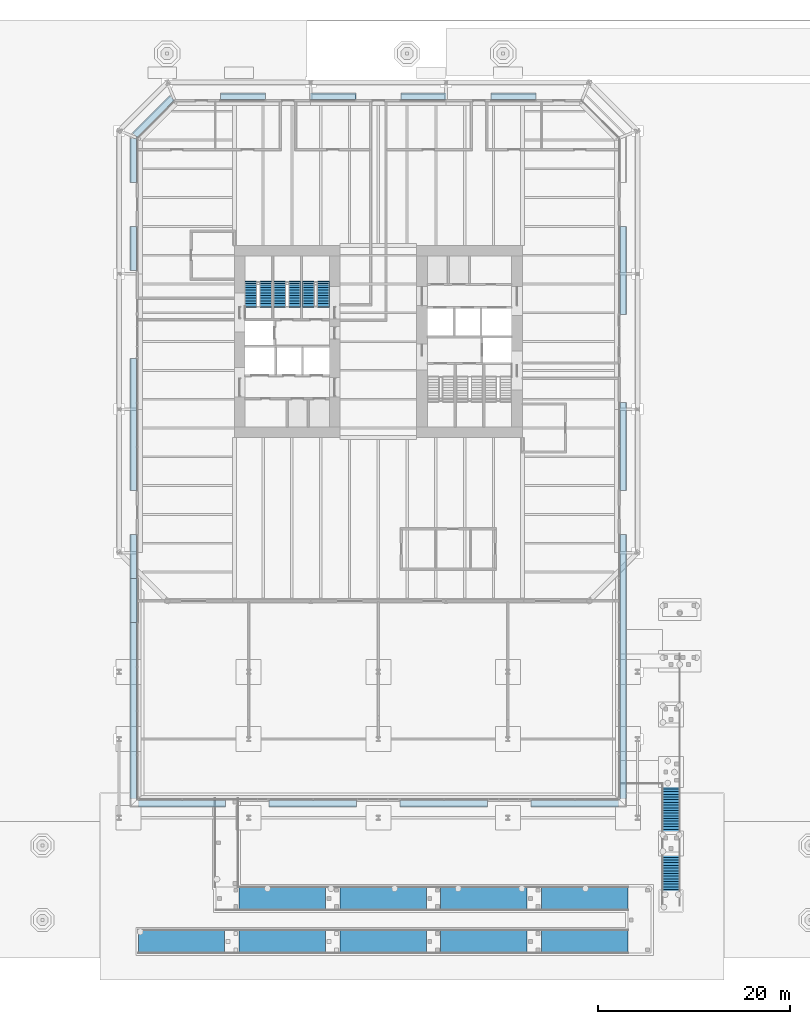
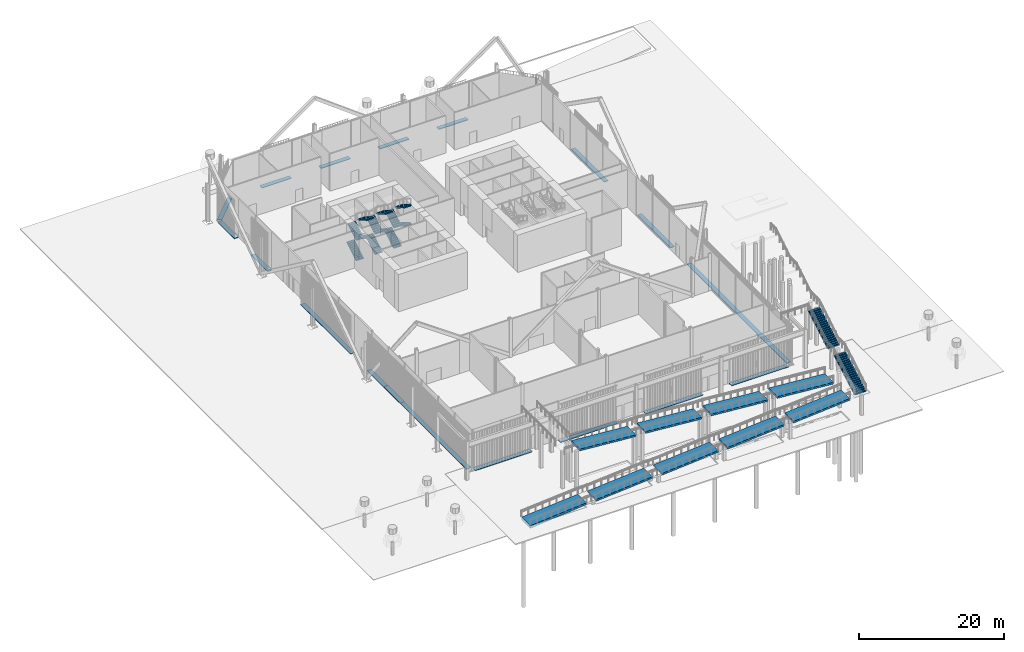
# One storey, part 19 of 28: 18 discrete accessories, 14 stair flights, 9 ramp flights, 4 elements without a shape of their own.
"""IFC4 building model written with IfcOpenShell, lengths in metres."""

from ifc_helpers import new_model, si_unit, direction, frame, origin, origin_2d, place, context, subcontext, project, spatial, polyline, rectangle, outline, extrude, material, type_object, element, aggregate, save


model = new_model("IFC4")

# Units and contexts
model_context = context("Model", 3, precision=1e-05, world=origin(), true_north=direction((0.0, 1.0)))
body_context = subcontext(model_context, "Body", "Model", "MODEL_VIEW")
ifc_project = project(units=[si_unit("LENGTHUNIT", "METRE"), si_unit("AREAUNIT", "SQUARE_METRE"), si_unit("VOLUMEUNIT", "CUBIC_METRE"), si_unit("PLANEANGLEUNIT", "RADIAN"), si_unit("MASSUNIT", "GRAM", prefix="KILO")], contexts=[model_context])

# Site, building, storey
site_placement = place(None, origin())
site = spatial("IfcSite", under=ifc_project, at=site_placement, CompositionType="ELEMENT")
building_placement = place(site_placement, origin())
building = spatial("IfcBuilding", under=site, at=building_placement, Name="Millrace Tower", CompositionType="ELEMENT")
storey_placement = place(building_placement, origin())
storey = spatial("IfcBuildingStorey", under=building, at=storey_placement, Name="L01", CompositionType="ELEMENT", Elevation=0.0)

# Stair, stair flights
ifc_material_1 = material(Name="Concrete C35", Category="concrete")
stair_type_1 = type_object("IfcStairType", Name="Exit stair", PredefinedType="HALF_TURN_STAIR", material=ifc_material_1)
placement = place(storey_placement, origin())
stair_1 = element("IfcStair", 1, at=placement, inside=storey, type_object=stair_type_1, Name="Stair 1 W L01", PredefinedType="HALF_TURN_STAIR")
ifc_material_2 = material(Name="Concrete C35", Category="concrete")
stair_flight_type_1 = type_object("IfcStairFlightType", Name="Exit stair flight", PredefinedType="STRAIGHT", material=ifc_material_2)
stair_flight_1_placement = place(storey_placement, frame((-13.2900390625, 3.679931640625, 0.0), z_axis=(0.0, 0.0, 1.0), x_axis=(0.0, 1.0, 0.0)))
stair_flight_1 = element("IfcStairFlight", 2, at=stair_flight_1_placement, type_object=stair_flight_type_1, Name="ST12 flight 1", NumberOfRisers=10, NumberOfTreads=9, PredefinedType="STRAIGHT", RiserHeight=0.171052632, TreadLength=0.28, context=body_context, shape_type="SweptSolid", body=[
    extrude(outline(polyline([(-0.1201171875, -0.0400390625), (-0.1201171875, 0.0), (0.0, 0.0), (0.0, 0.171142578125), (0.280029296875, 0.171142578125), (0.280029296875, 0.342041015625), (0.56005859375, 0.342041015625), (0.56005859375, 0.51318359375), (0.840087890625, 0.51318359375), (0.840087890625, 0.684326171875), (1.1201171875, 0.684326171875), (1.1201171875, 0.855224609375), (1.39990234375, 0.855224609375), (1.39990234375, 1.0263671875), (1.679931640625, 1.0263671875), (1.679931640625, 1.197265625), (1.9599609375, 1.197265625), (1.9599609375, 1.368408203125), (2.239990234375, 1.368408203125), (2.239990234375, 1.53955078125), (2.52001953125, 1.53955078125), (2.52001953125, 1.5595703125), (2.639892578125, 1.5595703125), (2.639892578125, 1.36376953125), (2.52001953125, 1.36376953125), (0.28759765625, 0.0), (0.28759765625, -0.0400390625), (-0.1201171875, -0.0400390625)])), frame((0.0, 0.60986328125, 0.0), z_axis=(0.0, -1.0, 0.0), x_axis=(1.0, 0.0, 0.0)), (0.0, 0.0, 1.0), 1.219970703125),
])
stair_flight_2_placement = place(storey_placement, frame((-11.7099609375, 6.199951171875, 1.71044921875), z_axis=(0.0, 0.0, 1.0), x_axis=(0.0, -1.0, 0.0)))
stair_flight_2 = element("IfcStairFlight", 3, at=stair_flight_2_placement, type_object=stair_flight_type_1, Name="ST12 flight 2", NumberOfRisers=10, NumberOfTreads=9, PredefinedType="STRAIGHT", RiserHeight=0.171052632, TreadLength=0.28, context=body_context, shape_type="SweptSolid", body=[
    extrude(outline(polyline([(-0.1201171875, -0.0400390625), (-0.1201171875, 0.0), (0.0, 0.0), (0.0, 0.171142578125), (0.280029296875, 0.171142578125), (0.280029296875, 0.342041015625), (0.56005859375, 0.342041015625), (0.56005859375, 0.51318359375), (0.840087890625, 0.51318359375), (0.840087890625, 0.684326171875), (1.1201171875, 0.684326171875), (1.1201171875, 0.855224609375), (1.39990234375, 0.855224609375), (1.39990234375, 1.0263671875), (1.679931640625, 1.0263671875), (1.679931640625, 1.197265625), (1.9599609375, 1.197265625), (1.9599609375, 1.368408203125), (2.239990234375, 1.368408203125), (2.239990234375, 1.53955078125), (2.52001953125, 1.53955078125), (2.52001953125, 1.5595703125), (2.639892578125, 1.5595703125), (2.639892578125, 1.36376953125), (2.52001953125, 1.36376953125), (0.28759765625, 0.0), (0.28759765625, -0.0400390625), (-0.1201171875, -0.0400390625)])), frame((0.0, 0.60986328125, 0.0), z_axis=(0.0, -1.0, 0.0), x_axis=(1.0, 0.0, 0.0)), (0.0, 0.0, 1.0), 1.219970703125),
])
stair_flight_3_placement = place(storey_placement, frame((-13.2900390625, 3.679931640625, 3.421142578125), z_axis=(0.0, 0.0, 1.0), x_axis=(0.0, 1.0, 0.0)))
stair_flight_3 = element("IfcStairFlight", 4, at=stair_flight_3_placement, type_object=stair_flight_type_1, Name="ST12 flight 3", NumberOfRisers=9, NumberOfTreads=8, PredefinedType="STRAIGHT", RiserHeight=0.171052632, TreadLength=0.28, context=body_context, shape_type="SweptSolid", body=[
    extrude(outline(polyline([(-0.1201171875, -0.0400390625), (-0.1201171875, 0.0), (0.0, 0.0), (0.0, 0.171142578125), (0.280029296875, 0.171142578125), (0.280029296875, 0.342041015625), (0.56005859375, 0.342041015625), (0.56005859375, 0.51318359375), (0.840087890625, 0.51318359375), (0.840087890625, 0.684326171875), (1.1201171875, 0.684326171875), (1.1201171875, 0.855224609375), (1.39990234375, 0.855224609375), (1.39990234375, 1.0263671875), (1.679931640625, 1.0263671875), (1.679931640625, 1.197265625), (1.9599609375, 1.197265625), (1.9599609375, 1.368408203125), (2.239990234375, 1.368408203125), (2.239990234375, 1.388427734375), (2.360107421875, 1.388427734375), (2.360107421875, 1.19287109375), (2.239990234375, 1.19287109375), (0.28759765625, 0.0), (0.28759765625, -0.0400390625), (-0.1201171875, -0.0400390625)])), frame((0.0, 0.60986328125, 0.0), z_axis=(0.0, -1.0, 0.0), x_axis=(1.0, 0.0, 0.0)), (0.0, 0.0, 1.0), 1.219970703125),
])
stair_flight_4_placement = place(storey_placement, frame((-11.7099609375, 5.919921875, 4.96044921875), z_axis=(0.0, 0.0, 1.0), x_axis=(0.0, -1.0, 0.0)))
stair_flight_4 = element("IfcStairFlight", 5, at=stair_flight_4_placement, type_object=stair_flight_type_1, Name="ST12 flight 4", NumberOfRisers=9, NumberOfTreads=8, PredefinedType="STRAIGHT", RiserHeight=0.171052632, TreadLength=0.28, context=body_context, shape_type="SweptSolid", body=[
    extrude(outline(polyline([(-0.1201171875, -0.0400390625), (-0.1201171875, 0.0), (0.0, 0.0), (0.0, 0.171142578125), (0.280029296875, 0.171142578125), (0.280029296875, 0.342041015625), (0.56005859375, 0.342041015625), (0.56005859375, 0.51318359375), (0.840087890625, 0.51318359375), (0.840087890625, 0.684326171875), (1.1201171875, 0.684326171875), (1.1201171875, 0.855224609375), (1.39990234375, 0.855224609375), (1.39990234375, 1.0263671875), (1.679931640625, 1.0263671875), (1.679931640625, 1.197265625), (1.9599609375, 1.197265625), (1.9599609375, 1.368408203125), (2.239990234375, 1.368408203125), (2.239990234375, 1.388427734375), (2.360107421875, 1.388427734375), (2.360107421875, 1.19287109375), (2.239990234375, 1.19287109375), (0.28759765625, 0.0), (0.28759765625, -0.0400390625), (-0.1201171875, -0.0400390625)])), frame((0.0, 0.60986328125, 0.0), z_axis=(0.0, -1.0, 0.0), x_axis=(1.0, 0.0, 0.0)), (0.0, 0.0, 1.0), 1.219970703125),
])
aggregate(stair_1, [stair_flight_1, stair_flight_2, stair_flight_3, stair_flight_4])

stair_2 = element("IfcStair", 6, at=placement, inside=storey, type_object=stair_type_1, Name="Stair 2 W L01", PredefinedType="HALF_TURN_STAIR")
stair_flight_5_placement = place(storey_placement, frame((-10.2900390625, 3.679931640625, 0.0), z_axis=(0.0, 0.0, 1.0), x_axis=(0.0, 1.0, 0.0)))
stair_flight_5 = element("IfcStairFlight", 7, at=stair_flight_5_placement, type_object=stair_flight_type_1, Name="ST12 flight 1", NumberOfRisers=10, NumberOfTreads=9, PredefinedType="STRAIGHT", RiserHeight=0.171052632, TreadLength=0.28, context=body_context, shape_type="SweptSolid", body=[
    extrude(outline(polyline([(-0.1201171875, -0.0400390625), (-0.1201171875, 0.0), (0.0, 0.0), (0.0, 0.171142578125), (0.280029296875, 0.171142578125), (0.280029296875, 0.342041015625), (0.56005859375, 0.342041015625), (0.56005859375, 0.51318359375), (0.840087890625, 0.51318359375), (0.840087890625, 0.684326171875), (1.1201171875, 0.684326171875), (1.1201171875, 0.855224609375), (1.39990234375, 0.855224609375), (1.39990234375, 1.0263671875), (1.679931640625, 1.0263671875), (1.679931640625, 1.197265625), (1.9599609375, 1.197265625), (1.9599609375, 1.368408203125), (2.239990234375, 1.368408203125), (2.239990234375, 1.53955078125), (2.52001953125, 1.53955078125), (2.52001953125, 1.5595703125), (2.639892578125, 1.5595703125), (2.639892578125, 1.36376953125), (2.52001953125, 1.36376953125), (0.28759765625, 0.0), (0.28759765625, -0.0400390625), (-0.1201171875, -0.0400390625)])), frame((0.0, 0.60986328125, 0.0), z_axis=(0.0, -1.0, 0.0), x_axis=(1.0, 0.0, 0.0)), (0.0, 0.0, 1.0), 1.219970703125),
])
stair_flight_6_placement = place(storey_placement, frame((-8.7099609375, 6.199951171875, 1.71044921875), z_axis=(0.0, 0.0, 1.0), x_axis=(0.0, -1.0, 0.0)))
stair_flight_6 = element("IfcStairFlight", 8, at=stair_flight_6_placement, type_object=stair_flight_type_1, Name="ST12 flight 2", NumberOfRisers=10, NumberOfTreads=9, PredefinedType="STRAIGHT", RiserHeight=0.171052632, TreadLength=0.28, context=body_context, shape_type="SweptSolid", body=[
    extrude(outline(polyline([(-0.1201171875, -0.0400390625), (-0.1201171875, 0.0), (0.0, 0.0), (0.0, 0.171142578125), (0.280029296875, 0.171142578125), (0.280029296875, 0.342041015625), (0.56005859375, 0.342041015625), (0.56005859375, 0.51318359375), (0.840087890625, 0.51318359375), (0.840087890625, 0.684326171875), (1.1201171875, 0.684326171875), (1.1201171875, 0.855224609375), (1.39990234375, 0.855224609375), (1.39990234375, 1.0263671875), (1.679931640625, 1.0263671875), (1.679931640625, 1.197265625), (1.9599609375, 1.197265625), (1.9599609375, 1.368408203125), (2.239990234375, 1.368408203125), (2.239990234375, 1.53955078125), (2.52001953125, 1.53955078125), (2.52001953125, 1.5595703125), (2.639892578125, 1.5595703125), (2.639892578125, 1.36376953125), (2.52001953125, 1.36376953125), (0.28759765625, 0.0), (0.28759765625, -0.0400390625), (-0.1201171875, -0.0400390625)])), frame((0.0, 0.60986328125, 0.0), z_axis=(0.0, -1.0, 0.0), x_axis=(1.0, 0.0, 0.0)), (0.0, 0.0, 1.0), 1.219970703125),
])
stair_flight_7_placement = place(storey_placement, frame((-10.2900390625, 3.679931640625, 3.421142578125), z_axis=(0.0, 0.0, 1.0), x_axis=(0.0, 1.0, 0.0)))
stair_flight_7 = element("IfcStairFlight", 9, at=stair_flight_7_placement, type_object=stair_flight_type_1, Name="ST12 flight 3", NumberOfRisers=9, NumberOfTreads=8, PredefinedType="STRAIGHT", RiserHeight=0.171052632, TreadLength=0.28, context=body_context, shape_type="SweptSolid", body=[
    extrude(outline(polyline([(-0.1201171875, -0.0400390625), (-0.1201171875, 0.0), (0.0, 0.0), (0.0, 0.171142578125), (0.280029296875, 0.171142578125), (0.280029296875, 0.342041015625), (0.56005859375, 0.342041015625), (0.56005859375, 0.51318359375), (0.840087890625, 0.51318359375), (0.840087890625, 0.684326171875), (1.1201171875, 0.684326171875), (1.1201171875, 0.855224609375), (1.39990234375, 0.855224609375), (1.39990234375, 1.0263671875), (1.679931640625, 1.0263671875), (1.679931640625, 1.197265625), (1.9599609375, 1.197265625), (1.9599609375, 1.368408203125), (2.239990234375, 1.368408203125), (2.239990234375, 1.388427734375), (2.360107421875, 1.388427734375), (2.360107421875, 1.19287109375), (2.239990234375, 1.19287109375), (0.28759765625, 0.0), (0.28759765625, -0.0400390625), (-0.1201171875, -0.0400390625)])), frame((0.0, 0.60986328125, 0.0), z_axis=(0.0, -1.0, 0.0), x_axis=(1.0, 0.0, 0.0)), (0.0, 0.0, 1.0), 1.219970703125),
])
stair_flight_8_placement = place(storey_placement, frame((-8.7099609375, 5.919921875, 4.96044921875), z_axis=(0.0, 0.0, 1.0), x_axis=(0.0, -1.0, 0.0)))
stair_flight_8 = element("IfcStairFlight", 10, at=stair_flight_8_placement, type_object=stair_flight_type_1, Name="ST12 flight 4", NumberOfRisers=9, NumberOfTreads=8, PredefinedType="STRAIGHT", RiserHeight=0.171052632, TreadLength=0.28, context=body_context, shape_type="SweptSolid", body=[
    extrude(outline(polyline([(-0.1201171875, -0.0400390625), (-0.1201171875, 0.0), (0.0, 0.0), (0.0, 0.171142578125), (0.280029296875, 0.171142578125), (0.280029296875, 0.342041015625), (0.56005859375, 0.342041015625), (0.56005859375, 0.51318359375), (0.840087890625, 0.51318359375), (0.840087890625, 0.684326171875), (1.1201171875, 0.684326171875), (1.1201171875, 0.855224609375), (1.39990234375, 0.855224609375), (1.39990234375, 1.0263671875), (1.679931640625, 1.0263671875), (1.679931640625, 1.197265625), (1.9599609375, 1.197265625), (1.9599609375, 1.368408203125), (2.239990234375, 1.368408203125), (2.239990234375, 1.388427734375), (2.360107421875, 1.388427734375), (2.360107421875, 1.19287109375), (2.239990234375, 1.19287109375), (0.28759765625, 0.0), (0.28759765625, -0.0400390625), (-0.1201171875, -0.0400390625)])), frame((0.0, 0.60986328125, 0.0), z_axis=(0.0, -1.0, 0.0), x_axis=(1.0, 0.0, 0.0)), (0.0, 0.0, 1.0), 1.219970703125),
])
aggregate(stair_2, [stair_flight_5, stair_flight_6, stair_flight_7, stair_flight_8])

stair_3 = element("IfcStair", 11, at=placement, inside=storey, type_object=stair_type_1, Name="Stair 3 W L01", PredefinedType="HALF_TURN_STAIR")
stair_flight_9_placement = place(storey_placement, frame((-7.2900390625, 3.679931640625, 0.0), z_axis=(0.0, 0.0, 1.0), x_axis=(0.0, 1.0, 0.0)))
stair_flight_9 = element("IfcStairFlight", 12, at=stair_flight_9_placement, type_object=stair_flight_type_1, Name="ST12 flight 1", NumberOfRisers=10, NumberOfTreads=9, PredefinedType="STRAIGHT", RiserHeight=0.171052632, TreadLength=0.28, context=body_context, shape_type="SweptSolid", body=[
    extrude(outline(polyline([(-0.1201171875, -0.0400390625), (-0.1201171875, 0.0), (0.0, 0.0), (0.0, 0.171142578125), (0.280029296875, 0.171142578125), (0.280029296875, 0.342041015625), (0.56005859375, 0.342041015625), (0.56005859375, 0.51318359375), (0.840087890625, 0.51318359375), (0.840087890625, 0.684326171875), (1.1201171875, 0.684326171875), (1.1201171875, 0.855224609375), (1.39990234375, 0.855224609375), (1.39990234375, 1.0263671875), (1.679931640625, 1.0263671875), (1.679931640625, 1.197265625), (1.9599609375, 1.197265625), (1.9599609375, 1.368408203125), (2.239990234375, 1.368408203125), (2.239990234375, 1.53955078125), (2.52001953125, 1.53955078125), (2.52001953125, 1.5595703125), (2.639892578125, 1.5595703125), (2.639892578125, 1.36376953125), (2.52001953125, 1.36376953125), (0.28759765625, 0.0), (0.28759765625, -0.0400390625), (-0.1201171875, -0.0400390625)])), frame((0.0, 0.60986328125, 0.0), z_axis=(0.0, -1.0, 0.0), x_axis=(1.0, 0.0, 0.0)), (0.0, 0.0, 1.0), 1.219970703125),
])
stair_flight_10_placement = place(storey_placement, frame((-5.7099609375, 6.199951171875, 1.71044921875), z_axis=(0.0, 0.0, 1.0), x_axis=(0.0, -1.0, 0.0)))
stair_flight_10 = element("IfcStairFlight", 13, at=stair_flight_10_placement, type_object=stair_flight_type_1, Name="ST12 flight 2", NumberOfRisers=10, NumberOfTreads=9, PredefinedType="STRAIGHT", RiserHeight=0.171052632, TreadLength=0.28, context=body_context, shape_type="SweptSolid", body=[
    extrude(outline(polyline([(-0.1201171875, -0.0400390625), (-0.1201171875, 0.0), (0.0, 0.0), (0.0, 0.171142578125), (0.280029296875, 0.171142578125), (0.280029296875, 0.342041015625), (0.56005859375, 0.342041015625), (0.56005859375, 0.51318359375), (0.840087890625, 0.51318359375), (0.840087890625, 0.684326171875), (1.1201171875, 0.684326171875), (1.1201171875, 0.855224609375), (1.39990234375, 0.855224609375), (1.39990234375, 1.0263671875), (1.679931640625, 1.0263671875), (1.679931640625, 1.197265625), (1.9599609375, 1.197265625), (1.9599609375, 1.368408203125), (2.239990234375, 1.368408203125), (2.239990234375, 1.53955078125), (2.52001953125, 1.53955078125), (2.52001953125, 1.5595703125), (2.639892578125, 1.5595703125), (2.639892578125, 1.36376953125), (2.52001953125, 1.36376953125), (0.28759765625, 0.0), (0.28759765625, -0.0400390625), (-0.1201171875, -0.0400390625)])), frame((0.0, 0.60986328125, 0.0), z_axis=(0.0, -1.0, 0.0), x_axis=(1.0, 0.0, 0.0)), (0.0, 0.0, 1.0), 1.219970703125),
])
stair_flight_11_placement = place(storey_placement, frame((-7.2900390625, 3.679931640625, 3.421142578125), z_axis=(0.0, 0.0, 1.0), x_axis=(0.0, 1.0, 0.0)))
stair_flight_11 = element("IfcStairFlight", 14, at=stair_flight_11_placement, type_object=stair_flight_type_1, Name="ST12 flight 3", NumberOfRisers=9, NumberOfTreads=8, PredefinedType="STRAIGHT", RiserHeight=0.171052632, TreadLength=0.28, context=body_context, shape_type="SweptSolid", body=[
    extrude(outline(polyline([(-0.1201171875, -0.0400390625), (-0.1201171875, 0.0), (0.0, 0.0), (0.0, 0.171142578125), (0.280029296875, 0.171142578125), (0.280029296875, 0.342041015625), (0.56005859375, 0.342041015625), (0.56005859375, 0.51318359375), (0.840087890625, 0.51318359375), (0.840087890625, 0.684326171875), (1.1201171875, 0.684326171875), (1.1201171875, 0.855224609375), (1.39990234375, 0.855224609375), (1.39990234375, 1.0263671875), (1.679931640625, 1.0263671875), (1.679931640625, 1.197265625), (1.9599609375, 1.197265625), (1.9599609375, 1.368408203125), (2.239990234375, 1.368408203125), (2.239990234375, 1.388427734375), (2.360107421875, 1.388427734375), (2.360107421875, 1.19287109375), (2.239990234375, 1.19287109375), (0.28759765625, 0.0), (0.28759765625, -0.0400390625), (-0.1201171875, -0.0400390625)])), frame((0.0, 0.60986328125, 0.0), z_axis=(0.0, -1.0, 0.0), x_axis=(1.0, 0.0, 0.0)), (0.0, 0.0, 1.0), 1.219970703125),
])
stair_flight_12_placement = place(storey_placement, frame((-5.7099609375, 5.919921875, 4.96044921875), z_axis=(0.0, 0.0, 1.0), x_axis=(0.0, -1.0, 0.0)))
stair_flight_12 = element("IfcStairFlight", 15, at=stair_flight_12_placement, type_object=stair_flight_type_1, Name="ST12 flight 4", NumberOfRisers=9, NumberOfTreads=8, PredefinedType="STRAIGHT", RiserHeight=0.171052632, TreadLength=0.28, context=body_context, shape_type="SweptSolid", body=[
    extrude(outline(polyline([(-0.1201171875, -0.0400390625), (-0.1201171875, 0.0), (0.0, 0.0), (0.0, 0.171142578125), (0.280029296875, 0.171142578125), (0.280029296875, 0.342041015625), (0.56005859375, 0.342041015625), (0.56005859375, 0.51318359375), (0.840087890625, 0.51318359375), (0.840087890625, 0.684326171875), (1.1201171875, 0.684326171875), (1.1201171875, 0.855224609375), (1.39990234375, 0.855224609375), (1.39990234375, 1.0263671875), (1.679931640625, 1.0263671875), (1.679931640625, 1.197265625), (1.9599609375, 1.197265625), (1.9599609375, 1.368408203125), (2.239990234375, 1.368408203125), (2.239990234375, 1.388427734375), (2.360107421875, 1.388427734375), (2.360107421875, 1.19287109375), (2.239990234375, 1.19287109375), (0.28759765625, 0.0), (0.28759765625, -0.0400390625), (-0.1201171875, -0.0400390625)])), frame((0.0, 0.60986328125, 0.0), z_axis=(0.0, -1.0, 0.0), x_axis=(1.0, 0.0, 0.0)), (0.0, 0.0, 1.0), 1.219970703125),
])
aggregate(stair_3, [stair_flight_9, stair_flight_10, stair_flight_11, stair_flight_12])

ifc_material_3 = material(Name="Concrete C40", Category="concrete")
stair_type_2 = type_object("IfcStairType", Name="Public stair, two flights and landing", PredefinedType="TWO_STRAIGHT_RUN_STAIR", material=ifc_material_3)
stair_4 = element("IfcStair", 16, at=placement, inside=storey, type_object=stair_type_2, Name="Public stair PS-A", PredefinedType="TWO_STRAIGHT_RUN_STAIR")
ifc_material_4 = material(Name="Concrete C40", Category="concrete")
stair_flight_type_2 = type_object("IfcStairFlightType", Name="Public stair flight", PredefinedType="STRAIGHT", material=ifc_material_4)
stair_flight_13_placement = place(storey_placement, frame((30.5, -58.760009765625, 0.0), z_axis=(0.0, 0.0, 1.0), x_axis=(0.0, 1.0, 0.0)))
stair_flight_13 = element("IfcStairFlight", 17, at=stair_flight_13_placement, type_object=stair_flight_type_2, Name="PS2 flight 1", NumberOfRisers=21, NumberOfTreads=20, PredefinedType="STRAIGHT", RiserHeight=0.158536585, TreadLength=0.28, context=body_context, shape_type="SweptSolid", body=[
    extrude(outline(polyline([(-0.1201171875, -0.0400390625), (-0.1201171875, 0.0), (0.0, 0.0), (0.0, 0.158447265625), (0.280029296875, 0.158447265625), (0.280029296875, 0.317138671875), (0.56005859375, 0.317138671875), (0.56005859375, 0.4755859375), (0.840087890625, 0.4755859375), (0.840087890625, 0.634033203125), (1.1201171875, 0.634033203125), (1.1201171875, 0.792724609375), (1.39990234375, 0.792724609375), (1.39990234375, 0.951171875), (1.679931640625, 0.951171875), (1.679931640625, 1.10986328125), (1.9599609375, 1.10986328125), (1.9599609375, 1.268310546875), (2.239990234375, 1.268310546875), (2.239990234375, 1.4267578125), (2.52001953125, 1.4267578125), (2.52001953125, 1.58544921875), (2.800048828125, 1.58544921875), (2.800048828125, 1.743896484375), (3.080078125, 1.743896484375), (3.080078125, 1.90234375), (3.360107421875, 1.90234375), (3.360107421875, 2.06103515625), (3.639892578125, 2.06103515625), (3.639892578125, 2.219482421875), (3.919921875, 2.219482421875), (3.919921875, 2.3779296875), (4.199951171875, 2.3779296875), (4.199951171875, 2.53662109375), (4.47998046875, 2.53662109375), (4.47998046875, 2.695068359375), (4.760009765625, 2.695068359375), (4.760009765625, 2.853759765625), (5.0400390625, 2.853759765625), (5.0400390625, 3.01220703125), (5.320068359375, 3.01220703125), (5.320068359375, 3.170654296875), (5.60009765625, 3.170654296875), (5.60009765625, 3.190673828125), (5.719970703125, 3.190673828125), (5.719970703125, 2.99853515625), (5.60009765625, 2.99853515625), (0.30419921875, 0.0), (0.30419921875, -0.0400390625), (-0.1201171875, -0.0400390625)])), frame((0.0, 0.89990234375, 0.0), z_axis=(0.0, -1.0, 0.0), x_axis=(1.0, 0.0, 0.0)), (0.0, 0.0, 1.0), 1.800048828125),
])
stair_flight_14_placement = place(storey_placement, frame((30.5, -51.360107421875, 3.329345703125), z_axis=(0.0, 0.0, 1.0), x_axis=(0.0, 1.0, 0.0)))
stair_flight_14 = element("IfcStairFlight", 18, at=stair_flight_14_placement, type_object=stair_flight_type_2, Name="PS2 flight 2", NumberOfRisers=20, NumberOfTreads=19, PredefinedType="STRAIGHT", RiserHeight=0.158536585, TreadLength=0.28, context=body_context, shape_type="SweptSolid", body=[
    extrude(outline(polyline([(-0.1201171875, -0.0400390625), (-0.1201171875, 0.0), (0.0, 0.0), (0.0, 0.158447265625), (0.280029296875, 0.158447265625), (0.280029296875, 0.317138671875), (0.56005859375, 0.317138671875), (0.56005859375, 0.4755859375), (0.840087890625, 0.4755859375), (0.840087890625, 0.634033203125), (1.1201171875, 0.634033203125), (1.1201171875, 0.792724609375), (1.39990234375, 0.792724609375), (1.39990234375, 0.951171875), (1.679931640625, 0.951171875), (1.679931640625, 1.10986328125), (1.9599609375, 1.10986328125), (1.9599609375, 1.268310546875), (2.239990234375, 1.268310546875), (2.239990234375, 1.4267578125), (2.52001953125, 1.4267578125), (2.52001953125, 1.58544921875), (2.800048828125, 1.58544921875), (2.800048828125, 1.743896484375), (3.080078125, 1.743896484375), (3.080078125, 1.90234375), (3.360107421875, 1.90234375), (3.360107421875, 2.06103515625), (3.639892578125, 2.06103515625), (3.639892578125, 2.219482421875), (3.919921875, 2.219482421875), (3.919921875, 2.3779296875), (4.199951171875, 2.3779296875), (4.199951171875, 2.53662109375), (4.47998046875, 2.53662109375), (4.47998046875, 2.695068359375), (4.760009765625, 2.695068359375), (4.760009765625, 2.853759765625), (5.0400390625, 2.853759765625), (5.0400390625, 3.01220703125), (5.320068359375, 3.01220703125), (5.320068359375, 3.0322265625), (5.43994140625, 3.0322265625), (5.43994140625, 2.83984375), (5.320068359375, 2.83984375), (0.30419921875, 0.0), (0.30419921875, -0.0400390625), (-0.1201171875, -0.0400390625)])), frame((0.0, 0.89990234375, 0.0), z_axis=(0.0, -1.0, 0.0), x_axis=(1.0, 0.0, 0.0)), (0.0, 0.0, 1.0), 1.800048828125),
])
aggregate(stair_4, [stair_flight_13, stair_flight_14])

# Ramp flights
ifc_material_5 = material(Name="Concrete C40", Category="concrete")
ramp_flight_type = type_object("IfcRampFlightType", Name="Garden ramp flight", PredefinedType="STRAIGHT", material=ifc_material_5)
ramp_flight_1_placement = place(storey_placement, frame((-25.0, -62.5, -0.5), z_axis=(0.0, 0.0, 1.0), x_axis=(1.0, 0.0, 0.0)))
element("IfcRampFlight", 19, at=ramp_flight_1_placement, inside=storey, type_object=ramp_flight_type, Name="Ramp flight RF-01", PredefinedType="STRAIGHT", context=body_context, shape_type="SweptSolid", body=[
    extrude(outline(polyline([(0.0, 0.0), (9.0, 0.922119140625), (9.0, 1.22216796875), (0.0, 0.5), (0.0, 0.0)])), frame((0.0, 1.199951171875, 0.0), z_axis=(0.0, -1.0, 0.0), x_axis=(1.0, 0.0, 0.0)), (0.0, 0.0, 1.0), 2.39990234375),
])
ramp_flight_2_placement = place(storey_placement, frame((-14.5, -62.5, 0.422119140625), z_axis=(0.0, 0.0, 1.0), x_axis=(1.0, 0.0, 0.0)))
element("IfcRampFlight", 20, at=ramp_flight_2_placement, inside=storey, type_object=ramp_flight_type, Name="Ramp flight RF-02", PredefinedType="STRAIGHT", context=body_context, shape_type="SweptSolid", body=[
    extrude(outline(polyline([(0.0, 0.0), (9.0, 0.722412109375), (9.0, 1.022216796875), (0.0, 0.300048828125), (0.0, 0.0)])), frame((0.0, 1.199951171875, 0.0), z_axis=(0.0, -1.0, 0.0), x_axis=(1.0, 0.0, 0.0)), (0.0, 0.0, 1.0), 2.39990234375),
])
ramp_flight_3_placement = place(storey_placement, frame((-4.0, -62.5, 1.14453125), z_axis=(0.0, 0.0, 1.0), x_axis=(1.0, 0.0, 0.0)))
element("IfcRampFlight", 21, at=ramp_flight_3_placement, inside=storey, type_object=ramp_flight_type, Name="Ramp flight RF-03", PredefinedType="STRAIGHT", context=body_context, shape_type="SweptSolid", body=[
    extrude(outline(polyline([(0.0, 0.0), (9.0, 0.72216796875), (9.0, 1.022216796875), (0.0, 0.2998046875), (0.0, 0.0)])), frame((0.0, 1.199951171875, 0.0), z_axis=(0.0, -1.0, 0.0), x_axis=(1.0, 0.0, 0.0)), (0.0, 0.0, 1.0), 2.39990234375),
])
for number, where, z_axis, x_axis, name in (
    (22, (6.5, -62.5, 1.86669921875), (0.0, 0.0, 1.0), (1.0, 0.0, 0.0), "Ramp flight RF-04"),
    (23, (17.0, -62.5, 2.5888671875), (0.0, 0.0, 1.0), (1.0, 0.0, 0.0), "Ramp flight RF-05"),
):
    element("IfcRampFlight", number, at=place(storey_placement, frame(where, z_axis=z_axis, x_axis=x_axis)), inside=storey, type_object=ramp_flight_type, Name=name, PredefinedType="STRAIGHT", context=body_context, shape_type="SweptSolid", body=[
        extrude(outline(polyline([(0.0, 0.0), (9.0, 0.72216796875), (9.0, 1.022216796875), (0.0, 0.300048828125), (0.0, 0.0)])), frame((0.0, 1.199951171875, 0.0), z_axis=(0.0, -1.0, 0.0), x_axis=(1.0, 0.0, 0.0)), (0.0, 0.0, 1.0), 2.39990234375),
    ])
ramp_flight_4_placement = place(storey_placement, frame((26.0, -58.0, 3.31103515625), z_axis=(0.0, 0.0, 1.0), x_axis=(-1.0, 0.0, 0.0)))
element("IfcRampFlight", 24, at=ramp_flight_4_placement, inside=storey, type_object=ramp_flight_type, Name="Ramp flight RF-06", PredefinedType="STRAIGHT", context=body_context, shape_type="SweptSolid", body=[
    extrude(outline(polyline([(0.0, 0.0), (9.0, 0.722412109375), (9.0, 1.022216796875), (0.0, 0.300048828125), (0.0, 0.0)])), frame((0.0, 1.199951171875, 0.0), z_axis=(0.0, -1.0, 0.0), x_axis=(1.0, 0.0, 0.0)), (0.0, 0.0, 1.0), 2.39990234375),
])
ramp_flight_5_placement = place(storey_placement, frame((15.5, -58.0, 4.033447265625), z_axis=(0.0, 0.0, 1.0), x_axis=(-1.0, 0.0, 0.0)))
element("IfcRampFlight", 25, at=ramp_flight_5_placement, inside=storey, type_object=ramp_flight_type, Name="Ramp flight RF-07", PredefinedType="STRAIGHT", context=body_context, shape_type="SweptSolid", body=[
    extrude(outline(polyline([(0.0, 0.0), (9.0, 0.72216796875), (9.0, 1.022216796875), (0.0, 0.2998046875), (0.0, 0.0)])), frame((0.0, 1.199951171875, 0.0), z_axis=(0.0, -1.0, 0.0), x_axis=(1.0, 0.0, 0.0)), (0.0, 0.0, 1.0), 2.39990234375),
])
for number, where, z_axis, x_axis, name in (
    (26, (5.0, -58.0, 4.755615234375), (0.0, 0.0, 1.0), (-1.0, 0.0, 0.0), "Ramp flight RF-08"),
    (27, (-5.5, -58.0, 5.477783203125), (0.0, 0.0, 1.0), (-1.0, 0.0, 0.0), "Ramp flight RF-09"),
):
    element("IfcRampFlight", number, at=place(storey_placement, frame(where, z_axis=z_axis, x_axis=x_axis)), inside=storey, type_object=ramp_flight_type, Name=name, PredefinedType="STRAIGHT", context=body_context, shape_type="SweptSolid", body=[
        extrude(outline(polyline([(0.0, 0.0), (9.0, 0.72216796875), (9.0, 1.022216796875), (0.0, 0.300048828125), (0.0, 0.0)])), frame((0.0, 1.199951171875, 0.0), z_axis=(0.0, -1.0, 0.0), x_axis=(1.0, 0.0, 0.0)), (0.0, 0.0, 1.0), 2.39990234375),
    ])

# Discrete accessories
ifc_material_6 = material(Name="Stainless steel ASTM A240 type 316", Category="steel")
discrete_accessory_type = type_object("IfcDiscreteAccessoryType", Name="Thermally broken screen support rail", PredefinedType="BRACKET", material=ifc_material_6)
for number, where, z_axis, x_axis, name in (
    (28, (-20.45458984375, -48.135009765625, 0.0), (0.0, 0.0, 1.0), (1.0, 0.0, 0.0), "Thermally broken screen support rail AW1-F01 L01 1"),
    (29, (-6.818115234375, -48.135009765625, 0.0), (0.0, 0.0, 1.0), (1.0, 0.0, 0.0), "Thermally broken screen support rail AW1-F01 L01 2"),
    (30, (6.818115234375, -48.135009765625, 0.0), (0.0, 0.0, 1.0), (1.0, 0.0, 0.0), "Thermally broken screen support rail AW1-F01 L01 3"),
    (31, (20.45458984375, -48.135009765625, 0.0), (0.0, 0.0, 1.0), (1.0, 0.0, 0.0), "Thermally broken screen support rail AW1-F01 L01 4"),
):
    element("IfcDiscreteAccessory", number, at=place(storey_placement, frame(where, z_axis=z_axis, x_axis=x_axis)), inside=storey, type_object=discrete_accessory_type, Name=name, PredefinedType="BRACKET", context=body_context, shape_type="SweptSolid", body=[
        extrude(rectangle(XDim=9.0908203125, YDim=0.669921875, at=origin_2d()), origin(), (0.0, 0.0, 1.0), 0.10009765625),
    ])
discrete_accessory_1_placement = place(storey_placement, frame((25.534912109375, -33.85009765625, 0.0), z_axis=(0.0, 0.0, 1.0), x_axis=(0.0, 1.0, 0.0)))
element("IfcDiscreteAccessory", 32, at=discrete_accessory_1_placement, inside=storey, type_object=discrete_accessory_type, Name="Thermally broken screen support rail AW1-F02 L01 1", PredefinedType="BRACKET", context=body_context, shape_type="SweptSolid", body=[
    extrude(rectangle(XDim=27.5, YDim=0.669921875, at=origin_2d()), origin(), (0.0, 0.0, 1.0), 0.10009765625),
])
for number, where, z_axis, x_axis, name in (
    (33, (25.534912109375, -10.933349609375, 0.0), (0.0, 0.0, 1.0), (0.0, 1.0, 0.0), "Thermally broken screen support rail AW1-F02 L01 2"),
    (34, (25.534912109375, 7.39990234375, 0.0), (0.0, 0.0, 1.0), (0.0, 1.0, 0.0), "Thermally broken screen support rail AW1-F02 L01 3"),
):
    element("IfcDiscreteAccessory", number, at=place(storey_placement, frame(where, z_axis=z_axis, x_axis=x_axis)), inside=storey, type_object=discrete_accessory_type, Name=name, PredefinedType="BRACKET", context=body_context, shape_type="SweptSolid", body=[
        extrude(rectangle(XDim=9.166748046875, YDim=0.669921875, at=origin_2d()), origin(), (0.0, 0.0, 1.0), 0.10009765625),
    ])
for number, where, z_axis, x_axis, name in (
    (35, (14.10009765625, 25.534912109375, 0.0), (0.0, 0.0, 1.0), (-1.0, 0.0, 0.0), "Thermally broken screen support rail AW1-F04 L01 1"),
    (36, (4.699951171875, 25.534912109375, 0.0), (0.0, 0.0, 1.0), (-1.0, 0.0, 0.0), "Thermally broken screen support rail AW1-F04 L01 2"),
    (37, (-4.699951171875, 25.534912109375, 0.0), (0.0, 0.0, 1.0), (-1.0, 0.0, 0.0), "Thermally broken screen support rail AW1-F04 L01 3"),
    (38, (-14.10009765625, 25.534912109375, 0.0), (0.0, 0.0, 1.0), (-1.0, 0.0, 0.0), "Thermally broken screen support rail AW1-F04 L01 4"),
):
    element("IfcDiscreteAccessory", number, at=place(storey_placement, frame(where, z_axis=z_axis, x_axis=x_axis)), inside=storey, type_object=discrete_accessory_type, Name=name, PredefinedType="BRACKET", context=body_context, shape_type="SweptSolid", body=[
        extrude(rectangle(XDim=4.699951171875, YDim=0.669921875, at=origin_2d()), origin(), (0.0, 0.0, 1.0), 0.10009765625),
    ])
discrete_accessory_2_placement = place(storey_placement, frame((-23.453369140625, 23.453369140625, 0.0), z_axis=(0.0, 0.0, 1.0), x_axis=(-0.707106781187, -0.707106781187, 0.0)))
element("IfcDiscreteAccessory", 39, at=discrete_accessory_2_placement, inside=storey, type_object=discrete_accessory_type, Name="Thermally broken screen support rail AW1-F05 L01 1", PredefinedType="BRACKET", context=body_context, shape_type="SweptSolid", body=[
    extrude(rectangle(XDim=5.44482421875, YDim=0.669921875, at=origin_2d()), origin(), (0.0, 0.0, 1.0), 0.10009765625),
])
for number, where, z_axis, x_axis, name in (
    (40, (-25.534912109375, 18.8583984375, 0.0), (0.0, 0.0, 1.0), (0.0, -1.0, 0.0), "Thermally broken screen support rail AW1-F06 L01 1"),
    (41, (-25.534912109375, 9.691650390625, 0.0), (0.0, 0.0, 1.0), (0.0, -1.0, 0.0), "Thermally broken screen support rail AW1-F06 L01 2"),
):
    element("IfcDiscreteAccessory", number, at=place(storey_placement, frame(where, z_axis=z_axis, x_axis=x_axis)), inside=storey, type_object=discrete_accessory_type, Name=name, PredefinedType="BRACKET", context=body_context, shape_type="SweptSolid", body=[
        extrude(rectangle(XDim=4.583251953125, YDim=0.669921875, at=origin_2d()), origin(), (0.0, 0.0, 1.0), 0.10009765625),
    ])
discrete_accessory_3_placement = place(storey_placement, frame((-25.534912109375, -8.6416015625, 0.0), z_axis=(0.0, 0.0, 1.0), x_axis=(0.0, -1.0, 0.0)))
element("IfcDiscreteAccessory", 42, at=discrete_accessory_3_placement, inside=storey, type_object=discrete_accessory_type, Name="Thermally broken screen support rail AW1-F06 L01 3", PredefinedType="BRACKET", context=body_context, shape_type="SweptSolid", body=[
    extrude(rectangle(XDim=13.75, YDim=0.669921875, at=origin_2d()), origin(), (0.0, 0.0, 1.0), 0.10009765625),
])
discrete_accessory_4_placement = place(storey_placement, frame((-25.534912109375, -22.3916015625, 0.0), z_axis=(0.0, 0.0, 1.0), x_axis=(0.0, -1.0, 0.0)))
element("IfcDiscreteAccessory", 43, at=discrete_accessory_4_placement, inside=storey, type_object=discrete_accessory_type, Name="Thermally broken screen support rail AW1-F06 L01 4", PredefinedType="BRACKET", context=body_context, shape_type="SweptSolid", body=[
    extrude(rectangle(XDim=4.583251953125, YDim=0.669921875, at=origin_2d()), origin(), (0.0, 0.0, 1.0), 0.10009765625),
])
discrete_accessory_5_placement = place(storey_placement, frame((-25.510009765625, -26.97509765625, 0.0), z_axis=(0.0, 0.0, 1.0), x_axis=(0.0, -1.0, 0.0)))
element("IfcDiscreteAccessory", 44, at=discrete_accessory_5_placement, inside=storey, type_object=discrete_accessory_type, Name="Thermally broken screen support rail AW1-F06 L01 5", PredefinedType="BRACKET", context=body_context, shape_type="SweptSolid", body=[
    extrude(rectangle(XDim=4.583251953125, YDim=0.719970703125, at=origin_2d()), origin(), (0.0, 0.0, 1.0), 0.10009765625),
])
discrete_accessory_6_placement = place(storey_placement, frame((-25.534912109375, -38.433349609375, 0.0), z_axis=(0.0, 0.0, 1.0), x_axis=(0.0, -1.0, 0.0)))
element("IfcDiscreteAccessory", 45, at=discrete_accessory_6_placement, inside=storey, type_object=discrete_accessory_type, Name="Thermally broken screen support rail AW1-F06 L01 6", PredefinedType="BRACKET", context=body_context, shape_type="SweptSolid", body=[
    extrude(rectangle(XDim=18.333251953125, YDim=0.669921875, at=origin_2d()), origin(), (0.0, 0.0, 1.0), 0.10009765625),
])

save(model, "model.ifc")
